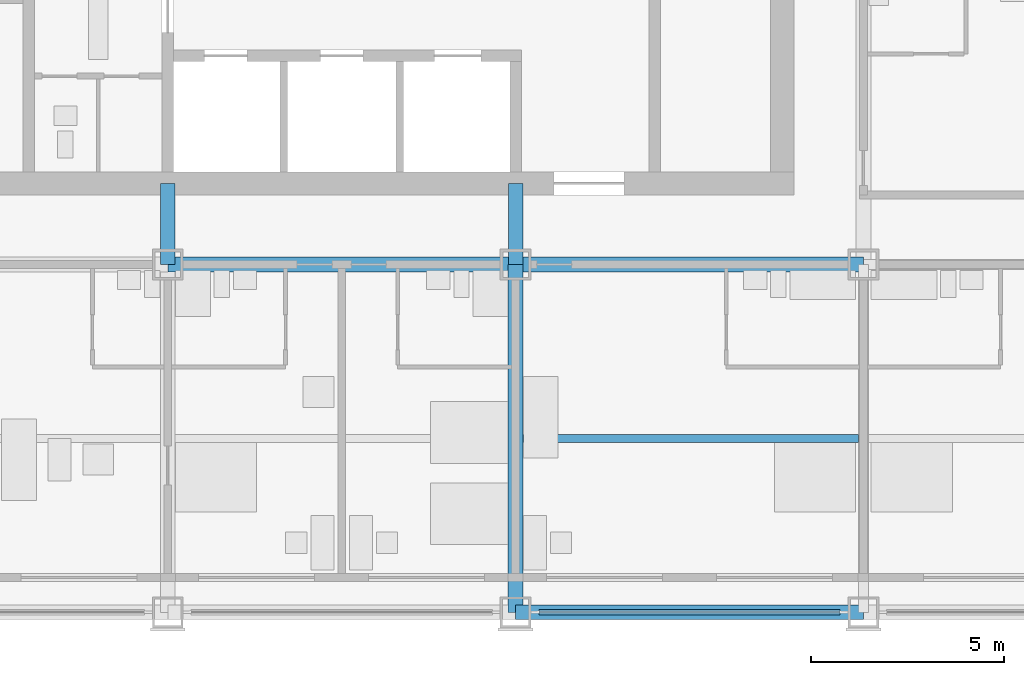
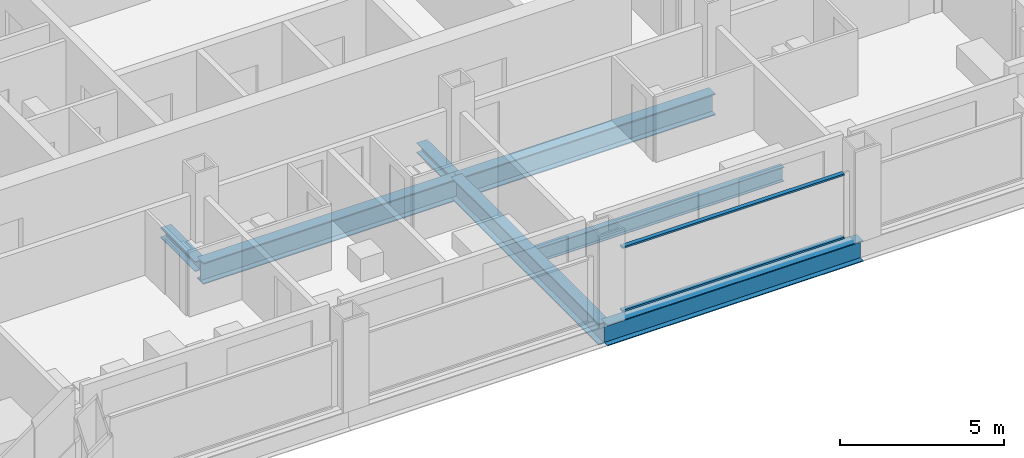
# One storey, part 3 of 16: 5 beams, 4 members, 1 element without a shape of its own.
"""IFC4 building model written with IfcOpenShell, lengths in metres."""

from ifc_helpers import new_model, si_unit, direction, frame, origin, origin_2d, place, context, subcontext, project, spatial, rectangle, i_section, extrude, material, material_profile, profile_set, type_object, element, aggregate, save


model = new_model("IFC4")

# Units and contexts
model_context = context("Model", 3, precision=1e-05, world=origin(), true_north=direction((0.0, 1.0)))
body_context = subcontext(model_context, "Body", "Model", "MODEL_VIEW")
ifc_project = project(units=[si_unit("LENGTHUNIT", "METRE"), si_unit("AREAUNIT", "SQUARE_METRE"), si_unit("VOLUMEUNIT", "CUBIC_METRE"), si_unit("PLANEANGLEUNIT", "RADIAN"), si_unit("MASSUNIT", "GRAM", prefix="KILO")], contexts=[model_context])

# Site, building, storey
site_placement = place(None, origin())
site = spatial("IfcSite", under=ifc_project, at=site_placement, CompositionType="ELEMENT")
building_placement = place(site_placement, origin())
building = spatial("IfcBuilding", under=site, at=building_placement, Name="Loomwork Tower", CompositionType="ELEMENT")
storey_placement = place(building_placement, frame((0.0, 0.0, 128.199951171875)))
storey = spatial("IfcBuildingStorey", under=building, at=storey_placement, Name="L34", CompositionType="ELEMENT", Elevation=128.199951171875)

# Beams
ifc_material_1 = material(Name="Steel ASTM A992", Category="steel")
ifc_material_profile_1 = material_profile(ifc_material_1, i_section(OverallWidth=0.383544921875, OverallDepth=0.794921875, WebThickness=0.02099609375, FlangeThickness=0.0380859375, at=origin_2d()), Name="W30x235")
ifc_profile_set_1 = profile_set([ifc_material_profile_1], Name="Steel ASTM A992")
beam_type_1 = type_object("IfcBeamType", Name="CORE FLANK GIRDER W30x235", PredefinedType="BEAM", material=ifc_profile_set_1)
for number, where, z_axis, x_axis, name in (
    (1, (18.0, 9.0, -0.597412109375), (1.0, 0.0, 0.0), (0.0, 1.0, 0.0), "Core Flank Girder E/4-E/5 L34"),
    (2, (27.0, 9.0, -0.597412109375), (1.0, 0.0, 0.0), (0.0, 1.0, 0.0), "Core Flank Girder E/5-E/6 L34"),
    (3, (27.0, 0.0, -0.597412109375), (0.0, 1.0, 0.0), (-1.0, 0.0, 0.0), "Core Flank Girder D/5-E/5 L34"),
):
    element("IfcBeam", number, at=place(storey_placement, frame(where, z_axis=z_axis, x_axis=x_axis)), inside=storey, type_object=beam_type_1, Name=name, PredefinedType="BEAM", context=body_context, shape_type="SweptSolid", body=[
        extrude(i_section(OverallWidth=0.383544921875, OverallDepth=0.794921875, WebThickness=0.02099609375, FlangeThickness=0.0380859375, at=origin_2d()), origin(), (0.0, 0.0, 1.0), 9.0),
    ])

# Members
ifc_material_2 = material(Name="Steel ASTM A992", Category="steel")
ifc_material_profile_2 = material_profile(ifc_material_2, i_section(OverallWidth=0.373291015625, OverallDepth=0.373291015625, WebThickness=0.016357421875, FlangeThickness=0.026123046875, at=origin_2d()), Name="W14x132")
ifc_profile_set_2 = profile_set([ifc_material_profile_2], Name="Steel ASTM A992")
member_type_1 = type_object("IfcMemberType", Name="CORE LINK STRUT W14x132", PredefinedType="STRUT", material=ifc_profile_set_2)
for number, where, z_axis, x_axis, name in (
    (4, (27.0, 9.0, -0.38671875), (0.0, 1.0, 0.0), (-1.0, 0.0, 0.0), "Core link strut E/5-27.000,11.100 L34"),
    (5, (18.0, 9.0, -0.38671875), (0.0, 1.0, 0.0), (-1.0, 0.0, 0.0), "Core link strut E/4-18.000,11.100 L34"),
):
    element("IfcMember", number, at=place(storey_placement, frame(where, z_axis=z_axis, x_axis=x_axis)), inside=storey, type_object=member_type_1, Name=name, PredefinedType="STRUT", context=body_context, shape_type="SweptSolid", body=[
        extrude(i_section(OverallWidth=0.373291015625, OverallDepth=0.373291015625, WebThickness=0.016357421875, FlangeThickness=0.026123046875, at=origin_2d()), origin(), (0.0, 0.0, 1.0), 2.10009765625),
    ])

# Beam
ifc_material_3 = material(Name="Steel ASTM A992", Category="steel")
ifc_material_profile_3 = material_profile(ifc_material_3, i_section(OverallWidth=0.2109375, OverallDepth=0.53857421875, WebThickness=0.011474609375, FlangeThickness=0.018798828125, at=origin_2d()), Name="W21x73")
ifc_profile_set_3 = profile_set([ifc_material_profile_3], Name="Steel ASTM A992")
beam_type_2 = type_object("IfcBeamType", Name="FLOOR JOIST W21x73", PredefinedType="JOIST", material=ifc_profile_set_3)
beam_1_placement = place(storey_placement, frame((27.19091796875, 4.5, -0.46923828125), z_axis=(1.0, 0.0, 0.0), x_axis=(0.0, 1.0, 0.0)))
element("IfcBeam", 6, at=beam_1_placement, inside=storey, type_object=beam_type_2, Name="Floor Joist 27.000,4.500-36.000,4.500 L34", PredefinedType="JOIST", context=body_context, shape_type="SweptSolid", body=[
    extrude(i_section(OverallWidth=0.2109375, OverallDepth=0.53857421875, WebThickness=0.011474609375, FlangeThickness=0.018798828125, at=origin_2d()), origin(), (0.0, 0.0, 1.0), 8.676025390625),
])

# Curtain wall, members
ifc_material_4 = material(Name="Aluminium curtain wall frame", Category="aluminium")
curtain_wall_type = type_object("IfcCurtainWallType", Name="Outer skin glazing hotel", PredefinedType="NOTDEFINED", material=ifc_material_4)
curtain_wall_placement = place(storey_placement, origin())
curtain_wall = element("IfcCurtainWall", 7, at=curtain_wall_placement, inside=storey, type_object=curtain_wall_type, Name="Outer skin glazing hotel cw/S-27", PredefinedType="NOTDEFINED")
ifc_material_5 = material(Name="Aluminium curtain wall frame", Category="aluminium")
ifc_material_profile_4 = material_profile(ifc_material_5, rectangle(XDim=0.14990234375, YDim=0.06494140625, at=origin_2d()), Name="AL 65x150")
ifc_profile_set_4 = profile_set([ifc_material_profile_4], Name="Aluminium curtain wall frame")
member_type_2 = type_object("IfcMemberType", Name="Outer skin glazing hotel transom", PredefinedType="USERDEFINED", material=ifc_profile_set_4)
member_1_placement = place(storey_placement, frame((27.60009765625, 0.0, 0.032470703125), z_axis=(1.0, 0.0, 0.0), x_axis=(0.0, 1.0, 0.0)))
member_1 = element("IfcMember", 8, at=member_1_placement, type_object=member_type_2, Name="CW1 transom 1.1", ObjectType="TRANSOM", PredefinedType="USERDEFINED", context=body_context, shape_type="SweptSolid", body=[
    extrude(rectangle(XDim=0.14990234375, YDim=0.06494140625, at=origin_2d()), origin(), (0.0, 0.0, 1.0), 7.7998046875),
])
member_2_placement = place(storey_placement, frame((27.60009765625, 0.0, 2.3876953125), z_axis=(1.0, 0.0, 0.0), x_axis=(0.0, 1.0, 0.0)))
member_2 = element("IfcMember", 9, at=member_2_placement, type_object=member_type_2, Name="CW1 transom 1.2", ObjectType="TRANSOM", PredefinedType="USERDEFINED", context=body_context, shape_type="SweptSolid", body=[
    extrude(rectangle(XDim=0.14990234375, YDim=0.06494140625, at=origin_2d()), origin(), (0.0, 0.0, 1.0), 7.7998046875),
])
aggregate(curtain_wall, [member_1, member_2])

# Beam
ifc_material_6 = material(Name="Steel ASTM A992", Category="steel")
ifc_material_profile_5 = material_profile(ifc_material_6, i_section(OverallWidth=0.381103515625, OverallDepth=0.77978515625, WebThickness=0.01806640625, FlangeThickness=0.0302734375, at=origin_2d()), Name="W30x191")
ifc_profile_set_5 = profile_set([ifc_material_profile_5], Name="Steel ASTM A992")
beam_type_3 = type_object("IfcBeamType", Name="SPANDREL GIRDER W30x191", PredefinedType="SPANDREL", material=ifc_profile_set_5)
beam_2_placement = place(storey_placement, frame((27.0, 0.0, -0.58984375), z_axis=(1.0, 0.0, 0.0), x_axis=(0.0, 1.0, 0.0)))
element("IfcBeam", 10, at=beam_2_placement, inside=storey, type_object=beam_type_3, Name="Spandrel Girder D/5-D/6 L34", PredefinedType="SPANDREL", context=body_context, shape_type="SweptSolid", body=[
    extrude(i_section(OverallWidth=0.381103515625, OverallDepth=0.77978515625, WebThickness=0.01806640625, FlangeThickness=0.0302734375, at=origin_2d()), origin(), (0.0, 0.0, 1.0), 9.0),
])

save(model, "model.ifc")
